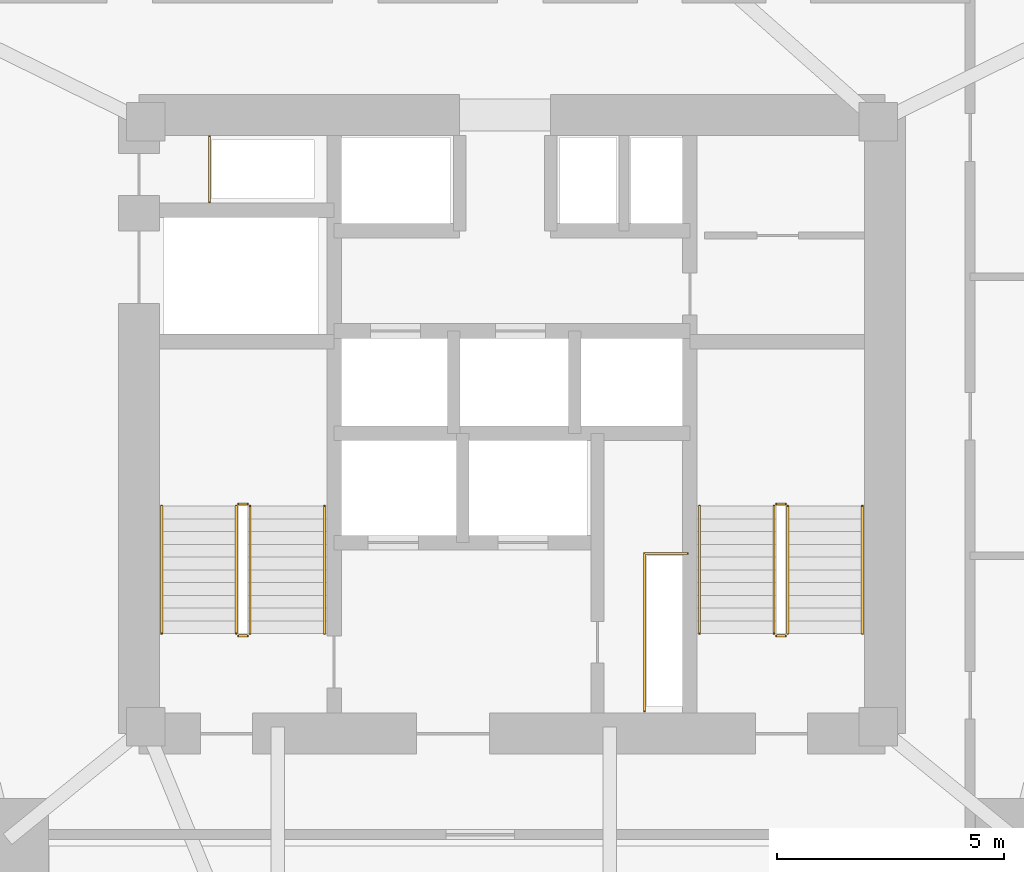
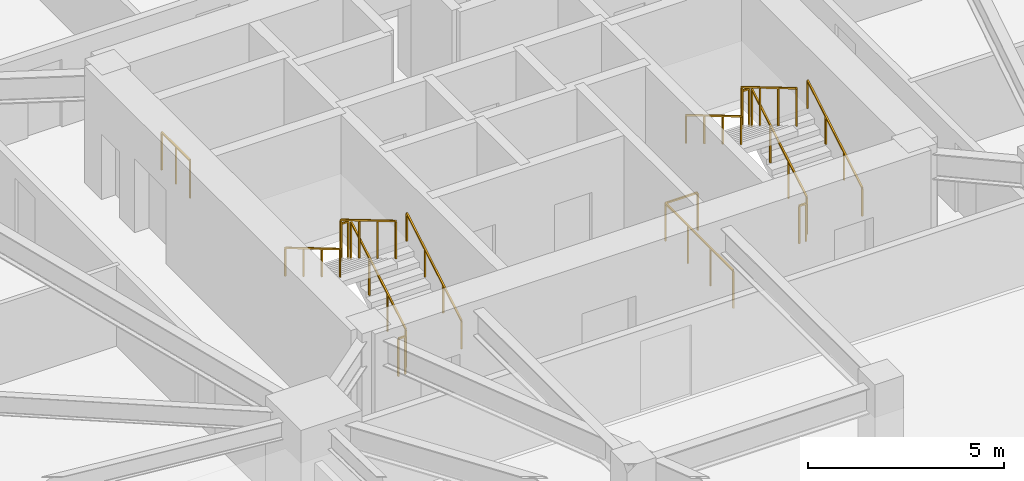
# One storey, part 21 of 21: 14 railings.
"""IFC4 building model written with IfcOpenShell, lengths in metres."""

from ifc_helpers import new_model, si_unit, direction, frame, origin, origin_2d, place, context, subcontext, project, spatial, rectangle, extrude, material, type_object, element, save


model = new_model("IFC4")

# Units and contexts
model_context = context("Model", 3, precision=1e-05, world=origin(), true_north=direction((0.0, 1.0)))
body_context = subcontext(model_context, "Body", "Model", "MODEL_VIEW")
ifc_project = project(units=[si_unit("LENGTHUNIT", "METRE"), si_unit("AREAUNIT", "SQUARE_METRE"), si_unit("VOLUMEUNIT", "CUBIC_METRE"), si_unit("PLANEANGLEUNIT", "RADIAN"), si_unit("MASSUNIT", "GRAM", prefix="KILO")], contexts=[model_context])

# Site, building, storey
site_placement = place(None, origin())
site = spatial("IfcSite", under=ifc_project, at=site_placement, CompositionType="ELEMENT")
building_placement = place(site_placement, origin())
building = spatial("IfcBuilding", under=site, at=building_placement, Name="Talyreon Biosciences Tower", CompositionType="ELEMENT")
storey_placement = place(building_placement, frame((0.0, 0.0, 33.75)))
storey = spatial("IfcBuildingStorey", under=building, at=storey_placement, Name="L08", CompositionType="ELEMENT", Elevation=33.75)

# Railings
ifc_material_1 = material(Name="Brushed stainless-steel tubular handrail", Category="steel")
railing_type_1 = type_object("IfcRailingType", Name="StairWallHandrail_900", PredefinedType="HANDRAIL", material=ifc_material_1)
railing_1_placement = place(storey_placement, frame((61.8798828125, 63.39990234375, 0.166015625)))
element("IfcRailing", 1, at=railing_1_placement, inside=storey, type_object=railing_type_1, Name="L08 ST-1 stair handrail 1", PredefinedType="HANDRAIL", context=body_context, shape_type="SweptSolid", body=[
    extrude(rectangle(XDim=0.048095703125, YDim=0.048095703125, at=origin_2d()), frame((0.0, 0.0, 0.8759765625), z_axis=(0.0, 0.860339051648, 0.50972219513), x_axis=(-1.0, 0.0, 0.0)), (0.0, 0.0, 1.0), 3.254638671875),
    extrude(rectangle(XDim=0.0419921875, YDim=0.0419921875, at=origin_2d()), origin(), (0.0, 0.0, 1.0), 0.851806640625),
    extrude(rectangle(XDim=0.0419921875, YDim=0.0419921875, at=origin_2d()), frame((0.0, 0.933349609375, 0.552978515625)), (0.0, 0.0, 1.0), 0.851806640625),
    extrude(rectangle(XDim=0.0419921875, YDim=0.0419921875, at=origin_2d()), frame((0.0, 1.86669921875, 1.10595703125)), (0.0, 0.0, 1.0), 0.851806640625),
    extrude(rectangle(XDim=0.0419921875, YDim=0.0419921875, at=origin_2d()), frame((0.0, 2.800048828125, 1.658935546875)), (0.0, 0.0, 1.0), 0.851806640625),
])
railing_2_placement = place(storey_placement, frame((58.300048828125, 66.199951171875, 1.990966796875)))
element("IfcRailing", 2, at=railing_2_placement, inside=storey, type_object=railing_type_1, Name="L08 ST-1 stair handrail 2", PredefinedType="HANDRAIL", context=body_context, shape_type="SweptSolid", body=[
    extrude(rectangle(XDim=0.048095703125, YDim=0.048095703125, at=origin_2d()), frame((0.0, 0.0, 0.8759765625), z_axis=(0.0, -0.860339051648, 0.50972219513), x_axis=(1.0, 0.0, 0.0)), (0.0, 0.0, 1.0), 3.254638671875),
    extrude(rectangle(XDim=0.0419921875, YDim=0.0419921875, at=origin_2d()), origin(), (0.0, 0.0, 1.0), 0.851806640625),
    extrude(rectangle(XDim=0.0419921875, YDim=0.0419921875, at=origin_2d()), frame((0.0, -0.933349609375, 0.552978515625)), (0.0, 0.0, 1.0), 0.851806640625),
    extrude(rectangle(XDim=0.0419921875, YDim=0.0419921875, at=origin_2d()), frame((0.0, -1.86669921875, 1.10595703125)), (0.0, 0.0, 1.0), 0.851806640625),
    extrude(rectangle(XDim=0.0419921875, YDim=0.0419921875, at=origin_2d()), frame((0.0, -2.800048828125, 1.658935546875)), (0.0, 0.0, 1.0), 0.851806640625),
])
railing_3_placement = place(storey_placement, frame((73.699951171875, 63.39990234375, 0.166015625)))
element("IfcRailing", 3, at=railing_3_placement, inside=storey, type_object=railing_type_1, Name="L08 ST-2 stair handrail 1", PredefinedType="HANDRAIL", context=body_context, shape_type="SweptSolid", body=[
    extrude(rectangle(XDim=0.048095703125, YDim=0.048095703125, at=origin_2d()), frame((0.0, 0.0, 0.8759765625), z_axis=(0.0, 0.860339051648, 0.50972219513), x_axis=(-1.0, 0.0, 0.0)), (0.0, 0.0, 1.0), 3.254638671875),
    extrude(rectangle(XDim=0.0419921875, YDim=0.0419921875, at=origin_2d()), origin(), (0.0, 0.0, 1.0), 0.851806640625),
    extrude(rectangle(XDim=0.0419921875, YDim=0.0419921875, at=origin_2d()), frame((0.0, 0.933349609375, 0.552978515625)), (0.0, 0.0, 1.0), 0.851806640625),
    extrude(rectangle(XDim=0.0419921875, YDim=0.0419921875, at=origin_2d()), frame((0.0, 1.86669921875, 1.10595703125)), (0.0, 0.0, 1.0), 0.851806640625),
    extrude(rectangle(XDim=0.0419921875, YDim=0.0419921875, at=origin_2d()), frame((0.0, 2.800048828125, 1.658935546875)), (0.0, 0.0, 1.0), 0.851806640625),
])
railing_4_placement = place(storey_placement, frame((70.1201171875, 66.199951171875, 1.990966796875)))
element("IfcRailing", 4, at=railing_4_placement, inside=storey, type_object=railing_type_1, Name="L08 ST-2 stair handrail 2", PredefinedType="HANDRAIL", context=body_context, shape_type="SweptSolid", body=[
    extrude(rectangle(XDim=0.048095703125, YDim=0.048095703125, at=origin_2d()), frame((0.0, 0.0, 0.8759765625), z_axis=(0.0, -0.860339051648, 0.50972219513), x_axis=(1.0, 0.0, 0.0)), (0.0, 0.0, 1.0), 3.254638671875),
    extrude(rectangle(XDim=0.0419921875, YDim=0.0419921875, at=origin_2d()), origin(), (0.0, 0.0, 1.0), 0.851806640625),
    extrude(rectangle(XDim=0.0419921875, YDim=0.0419921875, at=origin_2d()), frame((0.0, -0.933349609375, 0.552978515625)), (0.0, 0.0, 1.0), 0.851806640625),
    extrude(rectangle(XDim=0.0419921875, YDim=0.0419921875, at=origin_2d()), frame((0.0, -1.86669921875, 1.10595703125)), (0.0, 0.0, 1.0), 0.851806640625),
    extrude(rectangle(XDim=0.0419921875, YDim=0.0419921875, at=origin_2d()), frame((0.0, -2.800048828125, 1.658935546875)), (0.0, 0.0, 1.0), 0.851806640625),
])
ifc_material_2 = material(Name="Painted galvanised steel post-and-rail balustrade", Category="steel")
railing_type_2 = type_object("IfcRailingType", Name="TerraceStairGuard_1200", PredefinedType="GUARDRAIL", material=ifc_material_2)
railing_5_placement = place(storey_placement, frame((60.239990234375, 63.39990234375, 0.166015625)))
element("IfcRailing", 5, at=railing_5_placement, inside=storey, type_object=railing_type_2, Name="L08 ST-1 stair guard 1", PredefinedType="GUARDRAIL", context=body_context, shape_type="SweptSolid", body=[
    extrude(rectangle(XDim=0.048095703125, YDim=0.048095703125, at=origin_2d()), frame((0.0, 0.0, 1.17578125), z_axis=(0.0, 0.860339051648, 0.50972219513), x_axis=(-1.0, 0.0, 0.0)), (0.0, 0.0, 1.0), 3.254638671875),
    extrude(rectangle(XDim=0.0419921875, YDim=0.0419921875, at=origin_2d()), origin(), (0.0, 0.0, 1.0), 1.15185546875),
    extrude(rectangle(XDim=0.0419921875, YDim=0.0419921875, at=origin_2d()), frame((0.0, 0.933349609375, 0.552978515625)), (0.0, 0.0, 1.0), 1.15185546875),
    extrude(rectangle(XDim=0.0419921875, YDim=0.0419921875, at=origin_2d()), frame((0.0, 1.86669921875, 1.10595703125)), (0.0, 0.0, 1.0), 1.15185546875),
    extrude(rectangle(XDim=0.0419921875, YDim=0.0419921875, at=origin_2d()), frame((0.0, 2.800048828125, 1.658935546875)), (0.0, 0.0, 1.0), 1.15185546875),
])
railing_6_placement = place(storey_placement, frame((60.18994140625, 66.25, 1.824951171875)))
element("IfcRailing", 6, at=railing_6_placement, inside=storey, type_object=railing_type_2, Name="L08 ST-1 stair guard 2", PredefinedType="GUARDRAIL", context=body_context, shape_type="SweptSolid", body=[
    extrude(rectangle(XDim=0.048095703125, YDim=0.048095703125, at=origin_2d()), frame((0.0, 0.0, 1.17578125), z_axis=(-1.0, 0.0, 0.0), x_axis=(0.0, -1.0, 0.0)), (0.0, 0.0, 1.0), 0.199951171875),
    extrude(rectangle(XDim=0.0419921875, YDim=0.0419921875, at=origin_2d()), origin(), (0.0, 0.0, 1.0), 1.15185546875),
    extrude(rectangle(XDim=0.0419921875, YDim=0.0419921875, at=origin_2d()), frame((-0.199951171875, 0.0, 0.0)), (0.0, 0.0, 1.0), 1.15185546875),
])
railing_7_placement = place(storey_placement, frame((59.93994140625, 66.199951171875, 1.990966796875)))
element("IfcRailing", 7, at=railing_7_placement, inside=storey, type_object=railing_type_2, Name="L08 ST-1 stair guard 3", PredefinedType="GUARDRAIL", context=body_context, shape_type="SweptSolid", body=[
    extrude(rectangle(XDim=0.048095703125, YDim=0.048095703125, at=origin_2d()), frame((0.0, 0.0, 1.17578125), z_axis=(0.0, -0.860339051648, 0.50972219513), x_axis=(1.0, 0.0, 0.0)), (0.0, 0.0, 1.0), 3.254638671875),
    extrude(rectangle(XDim=0.0419921875, YDim=0.0419921875, at=origin_2d()), origin(), (0.0, 0.0, 1.0), 1.15185546875),
    extrude(rectangle(XDim=0.0419921875, YDim=0.0419921875, at=origin_2d()), frame((0.0, -0.933349609375, 0.552978515625)), (0.0, 0.0, 1.0), 1.15185546875),
    extrude(rectangle(XDim=0.0419921875, YDim=0.0419921875, at=origin_2d()), frame((0.0, -1.86669921875, 1.10595703125)), (0.0, 0.0, 1.0), 1.15185546875),
    extrude(rectangle(XDim=0.0419921875, YDim=0.0419921875, at=origin_2d()), frame((0.0, -2.800048828125, 1.658935546875)), (0.0, 0.0, 1.0), 1.15185546875),
])
railing_8_placement = place(storey_placement, frame((60.18994140625, 63.35009765625, 0.0)))
element("IfcRailing", 8, at=railing_8_placement, inside=storey, type_object=railing_type_2, Name="L08 ST-1 stair guard 4", PredefinedType="GUARDRAIL", context=body_context, shape_type="SweptSolid", body=[
    extrude(rectangle(XDim=0.048095703125, YDim=0.048095703125, at=origin_2d()), frame((0.0, 0.0, 1.17578125), z_axis=(-1.0, 0.0, 0.0), x_axis=(0.0, -1.0, 0.0)), (0.0, 0.0, 1.0), 0.199951171875),
    extrude(rectangle(XDim=0.0419921875, YDim=0.0419921875, at=origin_2d()), origin(), (0.0, 0.0, 1.0), 1.15185546875),
    extrude(rectangle(XDim=0.0419921875, YDim=0.0419921875, at=origin_2d()), frame((-0.199951171875, 0.0, 0.0)), (0.0, 0.0, 1.0), 1.15185546875),
])
railing_9_placement = place(storey_placement, frame((72.06005859375, 63.39990234375, 0.166015625)))
element("IfcRailing", 9, at=railing_9_placement, inside=storey, type_object=railing_type_2, Name="L08 ST-2 stair guard 1", PredefinedType="GUARDRAIL", context=body_context, shape_type="SweptSolid", body=[
    extrude(rectangle(XDim=0.048095703125, YDim=0.048095703125, at=origin_2d()), frame((0.0, 0.0, 1.17578125), z_axis=(0.0, 0.860339051648, 0.50972219513), x_axis=(-1.0, 0.0, 0.0)), (0.0, 0.0, 1.0), 3.254638671875),
    extrude(rectangle(XDim=0.0419921875, YDim=0.0419921875, at=origin_2d()), origin(), (0.0, 0.0, 1.0), 1.15185546875),
    extrude(rectangle(XDim=0.0419921875, YDim=0.0419921875, at=origin_2d()), frame((0.0, 0.933349609375, 0.552978515625)), (0.0, 0.0, 1.0), 1.15185546875),
    extrude(rectangle(XDim=0.0419921875, YDim=0.0419921875, at=origin_2d()), frame((0.0, 1.86669921875, 1.10595703125)), (0.0, 0.0, 1.0), 1.15185546875),
    extrude(rectangle(XDim=0.0419921875, YDim=0.0419921875, at=origin_2d()), frame((0.0, 2.800048828125, 1.658935546875)), (0.0, 0.0, 1.0), 1.15185546875),
])
railing_10_placement = place(storey_placement, frame((72.010009765625, 66.25, 1.824951171875)))
element("IfcRailing", 10, at=railing_10_placement, inside=storey, type_object=railing_type_2, Name="L08 ST-2 stair guard 2", PredefinedType="GUARDRAIL", context=body_context, shape_type="SweptSolid", body=[
    extrude(rectangle(XDim=0.048095703125, YDim=0.048095703125, at=origin_2d()), frame((0.0, 0.0, 1.17578125), z_axis=(-1.0, 0.0, 0.0), x_axis=(0.0, -1.0, 0.0)), (0.0, 0.0, 1.0), 0.199951171875),
    extrude(rectangle(XDim=0.0419921875, YDim=0.0419921875, at=origin_2d()), origin(), (0.0, 0.0, 1.0), 1.15185546875),
    extrude(rectangle(XDim=0.0419921875, YDim=0.0419921875, at=origin_2d()), frame((-0.199951171875, 0.0, 0.0)), (0.0, 0.0, 1.0), 1.15185546875),
])
railing_11_placement = place(storey_placement, frame((71.760009765625, 66.199951171875, 1.990966796875)))
element("IfcRailing", 11, at=railing_11_placement, inside=storey, type_object=railing_type_2, Name="L08 ST-2 stair guard 3", PredefinedType="GUARDRAIL", context=body_context, shape_type="SweptSolid", body=[
    extrude(rectangle(XDim=0.048095703125, YDim=0.048095703125, at=origin_2d()), frame((0.0, 0.0, 1.17578125), z_axis=(0.0, -0.860339051648, 0.50972219513), x_axis=(1.0, 0.0, 0.0)), (0.0, 0.0, 1.0), 3.254638671875),
    extrude(rectangle(XDim=0.0419921875, YDim=0.0419921875, at=origin_2d()), origin(), (0.0, 0.0, 1.0), 1.15185546875),
    extrude(rectangle(XDim=0.0419921875, YDim=0.0419921875, at=origin_2d()), frame((0.0, -0.933349609375, 0.552978515625)), (0.0, 0.0, 1.0), 1.15185546875),
    extrude(rectangle(XDim=0.0419921875, YDim=0.0419921875, at=origin_2d()), frame((0.0, -1.86669921875, 1.10595703125)), (0.0, 0.0, 1.0), 1.15185546875),
    extrude(rectangle(XDim=0.0419921875, YDim=0.0419921875, at=origin_2d()), frame((0.0, -2.800048828125, 1.658935546875)), (0.0, 0.0, 1.0), 1.15185546875),
])
railing_12_placement = place(storey_placement, frame((72.010009765625, 63.35009765625, 0.0)))
element("IfcRailing", 12, at=railing_12_placement, inside=storey, type_object=railing_type_2, Name="L08 ST-2 stair guard 4", PredefinedType="GUARDRAIL", context=body_context, shape_type="SweptSolid", body=[
    extrude(rectangle(XDim=0.048095703125, YDim=0.048095703125, at=origin_2d()), frame((0.0, 0.0, 1.17578125), z_axis=(-1.0, 0.0, 0.0), x_axis=(0.0, -1.0, 0.0)), (0.0, 0.0, 1.0), 0.199951171875),
    extrude(rectangle(XDim=0.0419921875, YDim=0.0419921875, at=origin_2d()), origin(), (0.0, 0.0, 1.0), 1.15185546875),
    extrude(rectangle(XDim=0.0419921875, YDim=0.0419921875, at=origin_2d()), frame((-0.199951171875, 0.0, 0.0)), (0.0, 0.0, 1.0), 1.15185546875),
])
railing_13_placement = place(storey_placement, frame((59.35009765625, 72.8798828125, 0.0)))
element("IfcRailing", 13, at=railing_13_placement, inside=storey, type_object=railing_type_2, Name="L08 Exhaust Riser Maintenance Guardrail", PredefinedType="GUARDRAIL", context=body_context, shape_type="SweptSolid", body=[
    extrude(rectangle(XDim=0.048095703125, YDim=0.048095703125, at=origin_2d()), frame((0.0, 0.0, 1.17578125), z_axis=(0.0, 1.0, 0.0), x_axis=(-1.0, 0.0, 0.0)), (0.0, 0.0, 1.0), 1.4501953125),
    extrude(rectangle(XDim=0.0419921875, YDim=0.0419921875, at=origin_2d()), origin(), (0.0, 0.0, 1.0), 1.15185546875),
    extrude(rectangle(XDim=0.0419921875, YDim=0.0419921875, at=origin_2d()), frame((0.0, 0.72509765625, 0.0)), (0.0, 0.0, 1.0), 1.15185546875),
    extrude(rectangle(XDim=0.0419921875, YDim=0.0419921875, at=origin_2d()), frame((0.0, 1.4501953125, 0.0)), (0.0, 0.0, 1.0), 1.15185546875),
])
railing_14_placement = place(storey_placement, frame((68.909912109375, 61.699951171875, 0.0)))
element("IfcRailing", 14, at=railing_14_placement, inside=storey, type_object=railing_type_2, Name="L08 Electrical Riser Maintenance Guardrail", PredefinedType="GUARDRAIL", context=body_context, shape_type="SweptSolid", body=[
    extrude(rectangle(XDim=0.048095703125, YDim=0.048095703125, at=origin_2d()), frame((0.0, 0.0, 1.17578125), z_axis=(0.0, 1.0, 0.0), x_axis=(-1.0, 0.0, 0.0)), (0.0, 0.0, 1.0), 3.4599609375),
    extrude(rectangle(XDim=0.048095703125, YDim=0.048095703125, at=origin_2d()), frame((0.0, 3.4599609375, 1.17578125), z_axis=(1.0, 0.0, 0.0), x_axis=(0.0, 1.0, 0.0)), (0.0, 0.0, 1.0), 0.9501953125),
    extrude(rectangle(XDim=0.0419921875, YDim=0.0419921875, at=origin_2d()), origin(), (0.0, 0.0, 1.0), 1.15185546875),
    extrude(rectangle(XDim=0.0419921875, YDim=0.0419921875, at=origin_2d()), frame((0.0, 1.1533203125, 0.0)), (0.0, 0.0, 1.0), 1.15185546875),
    extrude(rectangle(XDim=0.0419921875, YDim=0.0419921875, at=origin_2d()), frame((0.0, 2.306640625, 0.0)), (0.0, 0.0, 1.0), 1.15185546875),
    extrude(rectangle(XDim=0.0419921875, YDim=0.0419921875, at=origin_2d()), frame((0.0, 3.4599609375, 0.0)), (0.0, 0.0, 1.0), 1.15185546875),
    extrude(rectangle(XDim=0.0419921875, YDim=0.0419921875, at=origin_2d()), frame((0.9501953125, 3.4599609375, 0.0)), (0.0, 0.0, 1.0), 1.15185546875),
])

save(model, "model.ifc")
